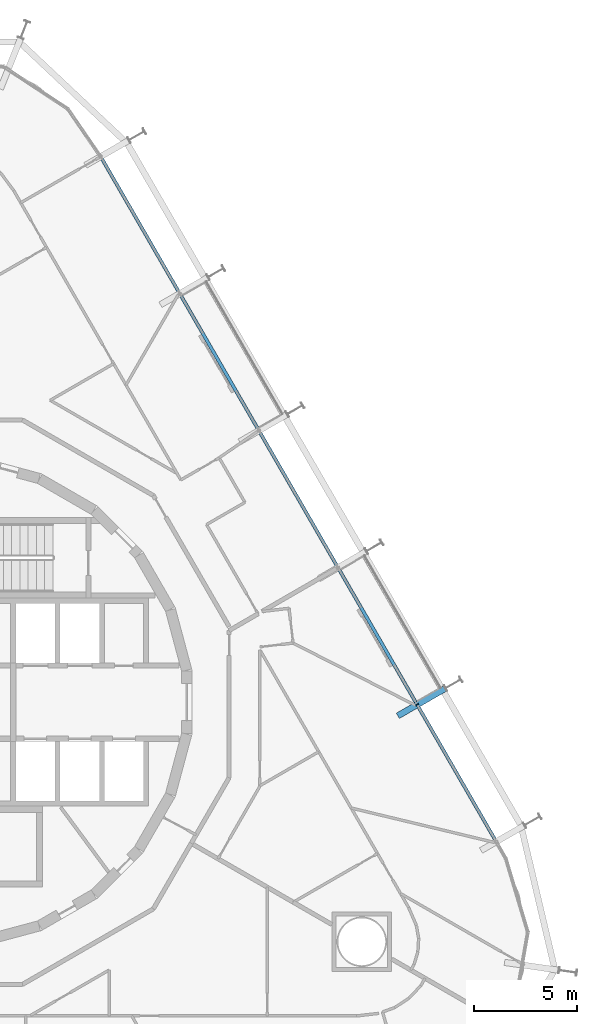
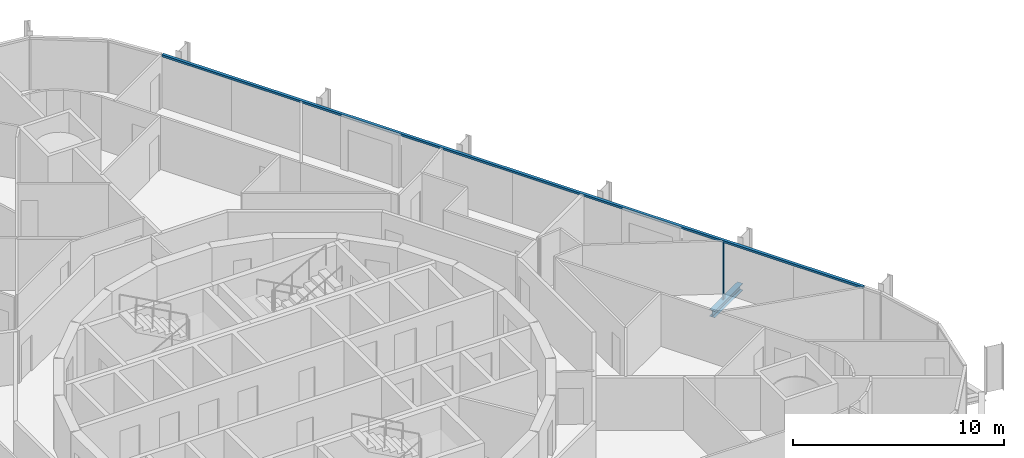
# One storey, part 7 of 20: 2 members, 1 beam, 1 element without a shape of its own.
"""IFC4 building model written with IfcOpenShell, lengths in metres."""

from ifc_helpers import new_model, si_unit, direction, frame, origin, origin_2d, place, context, subcontext, project, spatial, rectangle, i_section, extrude, material, layer, layer_set, material_profile, profile_set, type_object, element, aggregate, save


model = new_model("IFC4")

# Units and contexts
model_context = context("Model", 3, precision=1e-05, world=origin(), true_north=direction((0.0, 1.0)))
body_context = subcontext(model_context, "Body", "Model", "MODEL_VIEW")
ifc_project = project(units=[si_unit("LENGTHUNIT", "METRE"), si_unit("AREAUNIT", "SQUARE_METRE"), si_unit("VOLUMEUNIT", "CUBIC_METRE"), si_unit("PLANEANGLEUNIT", "RADIAN"), si_unit("MASSUNIT", "GRAM", prefix="KILO")], contexts=[model_context])

# Site, building, storey
site_placement = place(None, origin())
site = spatial("IfcSite", under=ifc_project, at=site_placement, CompositionType="ELEMENT")
building_placement = place(site_placement, origin())
building = spatial("IfcBuilding", under=site, at=building_placement, Name="Spindle Arch Residences", CompositionType="ELEMENT")
storey_placement = place(building_placement, frame((0.0, 0.0, 66.39990234375)))
storey = spatial("IfcBuildingStorey", under=building, at=storey_placement, Name="L15", CompositionType="ELEMENT", Elevation=66.39990234375)

# Curtain wall, members
ifc_material_1 = material(Name="Aluminium bronze unitised frame with tinted glass", Category="aluminium")
ifc_layer = layer(ifc_material_1, 0.159912109375)
ifc_layer_set = layer_set([ifc_layer], Name="CW-C typical residential unitised wall")
curtain_wall_type = type_object("IfcCurtainWallType", Name="CW-C typical residential unitised wall", PredefinedType="NOTDEFINED", material=ifc_layer_set)
curtain_wall_placement = place(storey_placement, origin())
curtain_wall = element("IfcCurtainWall", 1, at=curtain_wall_placement, inside=storey, type_object=curtain_wall_type, Name="CW-C L15 run 2", PredefinedType="NOTDEFINED")
ifc_material_2 = material(Name="Aluminium bronze anodised mullion", Category="aluminium")
ifc_material_profile_1 = material_profile(ifc_material_2, rectangle(XDim=0.159912109375, YDim=0.06005859375, at=origin_2d()), Name="MU 60x160")
ifc_profile_set_1 = profile_set([ifc_material_profile_1], Name="Aluminium bronze anodised mullion")
member_type_1 = type_object("IfcMemberType", Name="Bronze mullion 60x160", PredefinedType="MULLION", material=ifc_profile_set_1)
member_1_placement = place(storey_placement, frame((22.829345703125, -0.121826171875, -0.3798828125), z_axis=(0.0, 0.0, 1.0), x_axis=(-0.866025403784, -0.5, 0.0)))
member_1 = element("IfcMember", 2, at=member_1_placement, type_object=member_type_1, Name="CW-C mullion 06", PredefinedType="MULLION", context=body_context, shape_type="SweptSolid", body=[
    extrude(rectangle(XDim=0.159912109375, YDim=0.06005859375, at=origin_2d()), origin(), (0.0, 0.0, 1.0), 3.31005859375),
])
ifc_material_3 = material(Name="Aluminium bronze anodised transom", Category="aluminium")
ifc_material_profile_2 = material_profile(ifc_material_3, rectangle(XDim=0.159912109375, YDim=0.1201171875, at=origin_2d()), Name="TR 120x160")
ifc_profile_set_2 = profile_set([ifc_material_profile_2], Name="Aluminium bronze anodised transom")
member_type_2 = type_object("IfcMemberType", Name="Bronze transom 120x160", PredefinedType="USERDEFINED", material=ifc_profile_set_2)
member_2_placement = place(storey_placement, frame((26.654296875, -6.746826171875, 2.989990234375), z_axis=(-0.50000099666, 0.866024828362, 0.0), x_axis=(-0.866024828362, -0.50000099666, 0.0)))
member_2 = element("IfcMember", 3, at=member_2_placement, type_object=member_type_2, Name="CW-C transom 00", ObjectType="TRANSOM", PredefinedType="USERDEFINED", context=body_context, shape_type="SweptSolid", body=[
    extrude(rectangle(XDim=0.159912109375, YDim=0.1201171875, at=origin_2d()), origin(), (0.0, 0.0, 1.0), 38.34033203125),
])
aggregate(curtain_wall, [member_2, member_1])

# Beam
ifc_material_4 = material(Name="Steel S460ML, intumescent coating R 120", Category="steel")
ifc_material_profile_3 = material_profile(ifc_material_4, i_section(OverallWidth=0.300048828125, OverallDepth=0.389892578125, WebThickness=0.010986328125, FlangeThickness=0.01904296875, FilletRadius=0.027099609375, at=origin_2d()), Name="HEA 400")
ifc_profile_set_3 = profile_set([ifc_material_profile_3], Name="Steel S460ML, intumescent coating R 120")
beam_type = type_object("IfcBeamType", Name="Floor outrigger HEA 400", PredefinedType="BEAM", material=ifc_profile_set_3)
beam_placement = place(storey_placement, frame((24.18896484375, 0.6630859375, -0.574951171875), z_axis=(-0.866029095148, -0.499993606316, 0.0), x_axis=(0.499993606316, -0.866029095148, 0.0)))
element("IfcBeam", 4, at=beam_placement, inside=storey, type_object=beam_type, Name="Floor outrigger 7", PredefinedType="BEAM", context=body_context, shape_type="SweptSolid", body=[
    extrude(i_section(OverallWidth=0.300048828125, OverallDepth=0.389892578125, WebThickness=0.010986328125, FlangeThickness=0.01904296875, FilletRadius=0.027099609375, at=origin_2d()), origin(), (0.0, 0.0, 1.0), 2.64990234375),
])

save(model, "model.ifc")
